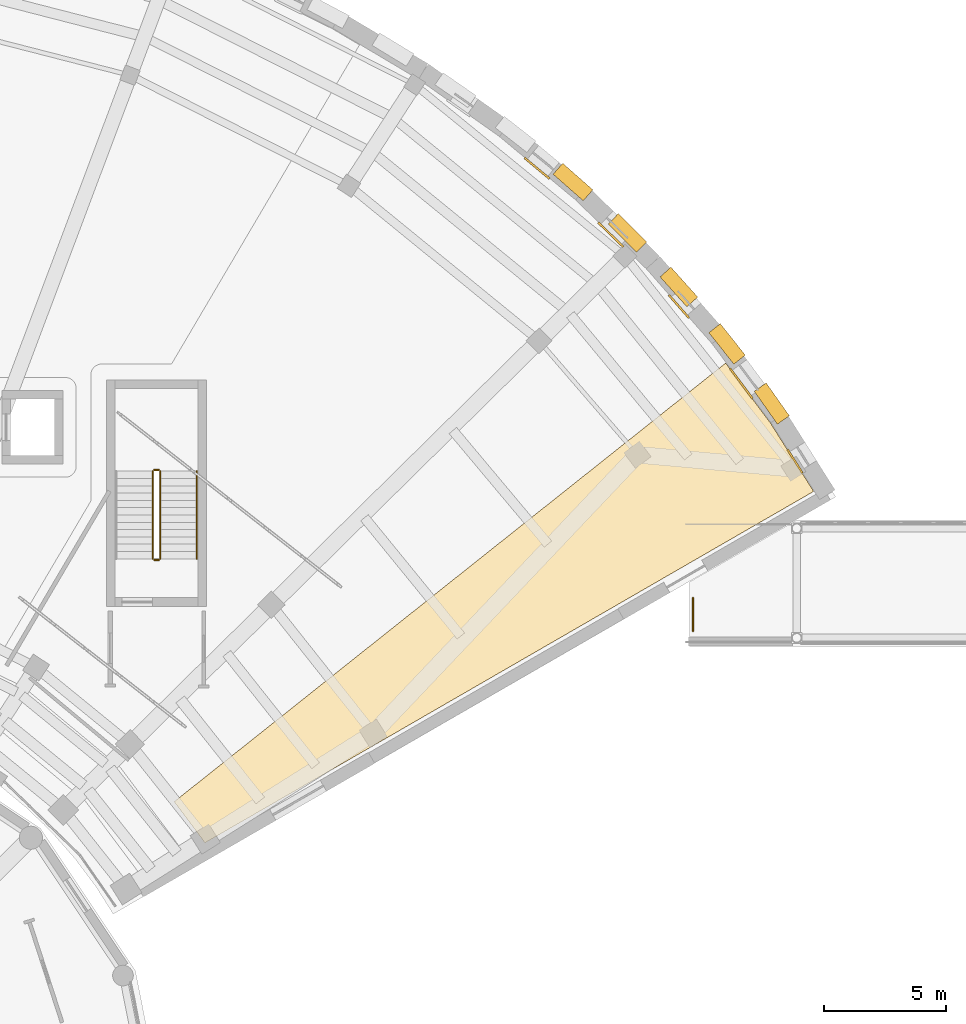
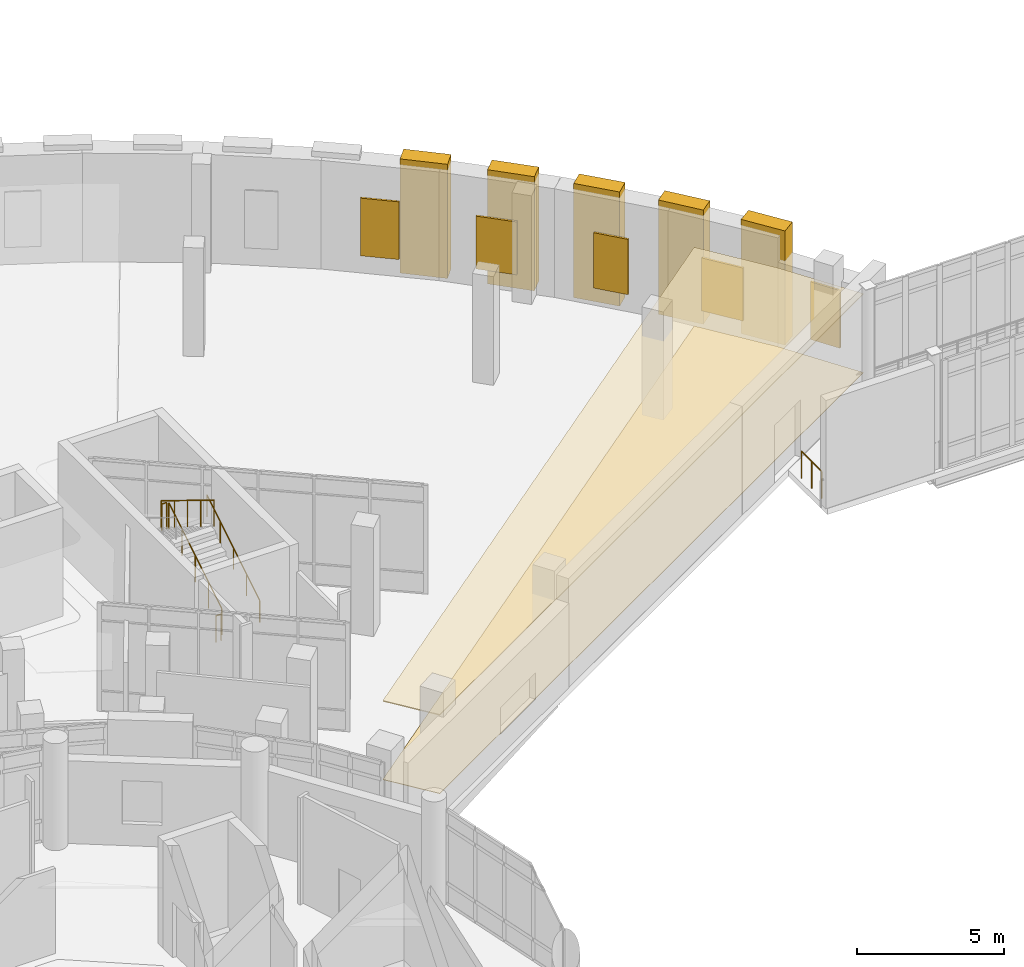
# One storey, part 71 of 75: 12 coverings, 6 railings.
"""IFC4 building model written with IfcOpenShell, lengths in metres."""

from ifc_helpers import new_model, si_unit, direction, frame, origin, origin_2d, place, context, subcontext, project, spatial, polyline, rectangle, circle, outline, extrude, material, layer, layer_set, type_object, element, save


model = new_model("IFC4")

# Units and contexts
model_context = context("Model", 3, precision=1e-05, world=origin(), true_north=direction((0.0, 1.0)))
body_context = subcontext(model_context, "Body", "Model", "MODEL_VIEW")
ifc_project = project(units=[si_unit("LENGTHUNIT", "METRE"), si_unit("AREAUNIT", "SQUARE_METRE"), si_unit("VOLUMEUNIT", "CUBIC_METRE"), si_unit("PLANEANGLEUNIT", "RADIAN"), si_unit("MASSUNIT", "GRAM", prefix="KILO")], contexts=[model_context])

# Site, building, storey
site_placement = place(None, origin())
site = spatial("IfcSite", under=ifc_project, at=site_placement, CompositionType="ELEMENT")
building_placement = place(site_placement, origin())
building = spatial("IfcBuilding", under=site, at=building_placement, Name="Soyqirgoq Riverine Aquarium", CompositionType="ELEMENT")
storey_placement = place(building_placement, frame((0.0, 0.0, 10.199951171875)))
storey = spatial("IfcBuildingStorey", under=building, at=storey_placement, Name="L03", CompositionType="ELEMENT", Elevation=10.199951171875)

# Coverings
ifc_material_1 = material(Name="Seamless slip-resistant marine epoxy flooring", Category="concrete")
ifc_layer_1 = layer(ifc_material_1, 0.02001953125)
ifc_layer_set_1 = layer_set([ifc_layer_1], Name="Seamless slip-resistant marine epoxy flooring")
covering_type_1 = type_object("IfcCoveringType", Name="EpoxyWetFloorFinish_20", PredefinedType="FLOORING", material=ifc_layer_set_1)
covering_1_placement = place(storey_placement, origin())
element("IfcCovering", 1, at=covering_1_placement, inside=storey, type_object=covering_type_1, Name="Research Specimen Archive Floor Finish", PredefinedType="FLOORING", context=body_context, shape_type="SweptSolid", body=[
    extrude(outline(polyline([(98.72998046875, 86.367919921875), (100.4970703125, 83.568115234375), (75.489990234375, 69.1298828125), (74.22705078125, 70.821044921875), (96.883056640625, 88.842041015625), (98.72998046875, 86.367919921875)])), origin(), (0.0, 0.0, 1.0), 0.02001953125),
])
ifc_material_2 = material(Name="Anodised aluminium marine moisture-resistant ceiling", Category="aluminium")
ifc_layer_2 = layer(ifc_material_2, 0.0400390625)
ifc_layer_set_2 = layer_set([ifc_layer_2], Name="Anodised aluminium marine moisture-resistant ceiling")
covering_type_2 = type_object("IfcCoveringType", Name="MoistureCeiling_40", PredefinedType="CEILING", material=ifc_layer_set_2)
covering_2_placement = place(storey_placement, frame((0.0, 0.0, 3.260009765625)))
element("IfcCovering", 2, at=covering_2_placement, inside=storey, type_object=covering_type_2, Name="Research Specimen Archive Suspended Ceiling", PredefinedType="CEILING", context=body_context, shape_type="SweptSolid", body=[
    extrude(outline(polyline([(98.72998046875, 86.367919921875), (100.4970703125, 83.568115234375), (75.489990234375, 69.1298828125), (74.22705078125, 70.821044921875), (96.883056640625, 88.842041015625), (98.72998046875, 86.367919921875)])), origin(), (0.0, 0.0, 1.0), 0.0400390625),
])
ifc_material_3 = material(Name="Anodised extruded aluminium sunshade", Category="aluminium")
covering_type_3 = type_object("IfcCoveringType", Name="SolarShadingLouvre_450", PredefinedType="USERDEFINED", material=ifc_material_3)
covering_3_placement = place(storey_placement, frame((89.135498046875, 96.841064453125, 0.75), z_axis=(0.0, 0.0, 1.0), x_axis=(0.768841832073, -0.639439001981, 0.0)))
element("IfcCovering", 3, at=covering_3_placement, inside=storey, type_object=covering_type_3, Name="V5 L03 Travertine Niche Solar Shade 0091", ObjectType="SOLAR_SHADING", PredefinedType="USERDEFINED", context=body_context, shape_type="SweptSolid", body=[
    extrude(rectangle(XDim=1.340087890625, YDim=0.080078125, at=origin_2d()), origin(), (0.0, 0.0, 1.0), 2.39990234375),
])
covering_4_placement = place(storey_placement, frame((92.1591796875, 94.118408203125, 0.75), z_axis=(0.0, 0.0, 1.0), x_axis=(0.716301943425, -0.697790459842, 0.0)))
element("IfcCovering", 4, at=covering_4_placement, inside=storey, type_object=covering_type_3, Name="V5 L03 Travertine Niche Solar Shade 0092", ObjectType="SOLAR_SHADING", PredefinedType="USERDEFINED", context=body_context, shape_type="SweptSolid", body=[
    extrude(rectangle(XDim=1.43994140625, YDim=0.080078125, at=origin_2d()), origin(), (0.0, 0.0, 1.0), 2.199951171875),
])
covering_5_placement = place(storey_placement, frame((94.960205078125, 91.1669921875, 0.75), z_axis=(0.0, 0.0, 1.0), x_axis=(0.6593458151, -0.751839807479, 0.0)))
element("IfcCovering", 5, at=covering_5_placement, inside=storey, type_object=covering_type_3, Name="V5 L03 Travertine Niche Solar Shade 0093", ObjectType="SOLAR_SHADING", PredefinedType="USERDEFINED", context=body_context, shape_type="SweptSolid", body=[
    extrude(rectangle(XDim=1.239990234375, YDim=0.080078125, at=origin_2d()), origin(), (0.0, 0.0, 1.0), 2.300048828125),
])
covering_6_placement = place(storey_placement, frame((97.5205078125, 88.0048828125, 0.75), z_axis=(0.0, 0.0, 1.0), x_axis=(0.598324600571, -0.801253812691, 0.0)))
element("IfcCovering", 6, at=covering_6_placement, inside=storey, type_object=covering_type_3, Name="V5 L03 Travertine Niche Solar Shade 0094", ObjectType="SOLAR_SHADING", PredefinedType="USERDEFINED", context=body_context, shape_type="SweptSolid", body=[
    extrude(rectangle(XDim=1.5400390625, YDim=0.080078125, at=origin_2d()), origin(), (0.0, 0.0, 1.0), 2.199951171875),
])
covering_7_placement = place(storey_placement, frame((99.72900390625, 84.803955078125, 0.75), z_axis=(0.0, 0.0, 1.0), x_axis=(0.533614515916, -0.845727821704, 0.0)))
element("IfcCovering", 7, at=covering_7_placement, inside=storey, type_object=covering_type_3, Name="V5 L03 Travertine Niche Solar Shade 0095", ObjectType="SOLAR_SHADING", PredefinedType="USERDEFINED", context=body_context, shape_type="SweptSolid", body=[
    extrude(rectangle(XDim=1.139892578125, YDim=0.080078125, at=origin_2d()), origin(), (0.0, 0.0, 1.0), 2.39990234375),
])

# Railings
ifc_material_4 = material(Name="Brushed stainless steel 316L tubular handrail", Category="steel")
railing_type_1 = type_object("IfcRailingType", Name="StairPitchHandrail_920", PredefinedType="HANDRAIL", material=ifc_material_4)
railing_1_placement = place(storey_placement, frame((75.14990234375, 80.800048828125, 0.1845703125)))
element("IfcRailing", 8, at=railing_1_placement, inside=storey, type_object=railing_type_1, Name="L03 ST-6 stair handrail 1", PredefinedType="HANDRAIL", context=body_context, shape_type="SweptSolid", body=[
    extrude(circle(Radius=0.02392578125, at=origin_2d()), frame((0.0, 0.0, 0.89990234375), z_axis=(0.0, 0.851628569182, 0.524145762315), x_axis=(-1.0, 0.0, 0.0)), (0.0, 0.0, 1.0), 4.22705078125),
    extrude(circle(Radius=0.02099609375, at=origin_2d()), origin(), (0.0, 0.0, 1.0), 0.875732421875),
    extrude(circle(Radius=0.02099609375, at=origin_2d()), frame((0.0, 0.89990234375, 0.553955078125)), (0.0, 0.0, 1.0), 0.875732421875),
    extrude(circle(Radius=0.02099609375, at=origin_2d()), frame((0.0, 1.7998046875, 1.10791015625)), (0.0, 0.0, 1.0), 0.875732421875),
    extrude(circle(Radius=0.02099609375, at=origin_2d()), frame((0.0, 2.699951171875, 1.66162109375)), (0.0, 0.0, 1.0), 0.875732421875),
    extrude(circle(Radius=0.02099609375, at=origin_2d()), frame((0.0, 3.599853515625, 2.215576171875)), (0.0, 0.0, 1.0), 0.875732421875),
])
ifc_material_5 = material(Name="Painted steel infill stair-well guardrail", Category="steel")
railing_type_2 = type_object("IfcRailingType", Name="StairWellGuard_1120", PredefinedType="GUARDRAIL", material=ifc_material_5)
railing_2_placement = place(storey_placement, frame((73.64990234375, 80.800048828125, 0.1845703125)))
element("IfcRailing", 9, at=railing_2_placement, inside=storey, type_object=railing_type_2, Name="L03 ST-6 stair guard 1", PredefinedType="GUARDRAIL", context=body_context, shape_type="SweptSolid", body=[
    extrude(circle(Radius=0.02392578125, at=origin_2d()), frame((0.0, 0.0, 1.09619140625), z_axis=(0.0, 0.851628569182, 0.524145762315), x_axis=(-1.0, 0.0, 0.0)), (0.0, 0.0, 1.0), 4.22705078125),
    extrude(circle(Radius=0.02099609375, at=origin_2d()), origin(), (0.0, 0.0, 1.0), 1.072021484375),
    extrude(circle(Radius=0.02099609375, at=origin_2d()), frame((0.0, 0.89990234375, 0.553955078125)), (0.0, 0.0, 1.0), 1.072021484375),
    extrude(circle(Radius=0.02099609375, at=origin_2d()), frame((0.0, 1.7998046875, 1.10791015625)), (0.0, 0.0, 1.0), 1.072021484375),
    extrude(circle(Radius=0.02099609375, at=origin_2d()), frame((0.0, 2.699951171875, 1.66162109375)), (0.0, 0.0, 1.0), 1.072021484375),
    extrude(circle(Radius=0.02099609375, at=origin_2d()), frame((0.0, 3.599853515625, 2.215576171875)), (0.0, 0.0, 1.0), 1.072021484375),
])
railing_3_placement = place(storey_placement, frame((73.60009765625, 84.449951171875, 2.400146484375)))
element("IfcRailing", 10, at=railing_3_placement, inside=storey, type_object=railing_type_2, Name="L03 ST-6 stair guard 2", PredefinedType="GUARDRAIL", context=body_context, shape_type="SweptSolid", body=[
    extrude(circle(Radius=0.02392578125, at=origin_2d()), frame((0.0, 0.0, 1.09619140625), z_axis=(-1.0, 0.0, 0.0), x_axis=(0.0, -1.0, 0.0)), (0.0, 0.0, 1.0), 0.2001953125),
    extrude(circle(Radius=0.02099609375, at=origin_2d()), origin(), (0.0, 0.0, 1.0), 1.072021484375),
    extrude(circle(Radius=0.02099609375, at=origin_2d()), frame((-0.2001953125, 0.0, 0.0)), (0.0, 0.0, 1.0), 1.072021484375),
])
railing_4_placement = place(storey_placement, frame((73.35009765625, 84.39990234375, 2.584716796875)))
element("IfcRailing", 11, at=railing_4_placement, inside=storey, type_object=railing_type_2, Name="L03 ST-6 stair guard 3", PredefinedType="GUARDRAIL", context=body_context, shape_type="SweptSolid", body=[
    extrude(circle(Radius=0.02392578125, at=origin_2d()), frame((0.0, 0.0, 1.09619140625), z_axis=(0.0, -0.851654350407, 0.524103870844), x_axis=(1.0, 0.0, 0.0)), (0.0, 0.0, 1.0), 4.226806640625),
    extrude(circle(Radius=0.02099609375, at=origin_2d()), origin(), (0.0, 0.0, 1.0), 1.072021484375),
    extrude(circle(Radius=0.02099609375, at=origin_2d()), frame((0.0, -0.89990234375, 0.5537109375)), (0.0, 0.0, 1.0), 1.072021484375),
    extrude(circle(Radius=0.02099609375, at=origin_2d()), frame((0.0, -1.7998046875, 1.107666015625)), (0.0, 0.0, 1.0), 1.072021484375),
    extrude(circle(Radius=0.02099609375, at=origin_2d()), frame((0.0, -2.699951171875, 1.66162109375)), (0.0, 0.0, 1.0), 1.072021484375),
    extrude(circle(Radius=0.02099609375, at=origin_2d()), frame((0.0, -3.599853515625, 2.21533203125)), (0.0, 0.0, 1.0), 1.072021484375),
])
railing_5_placement = place(storey_placement, frame((73.60009765625, 80.75, 0.0)))
element("IfcRailing", 12, at=railing_5_placement, inside=storey, type_object=railing_type_2, Name="L03 ST-6 stair guard 4", PredefinedType="GUARDRAIL", context=body_context, shape_type="SweptSolid", body=[
    extrude(circle(Radius=0.02392578125, at=origin_2d()), frame((0.0, 0.0, 1.09619140625), z_axis=(-1.0, 0.0, 0.0), x_axis=(0.0, -1.0, 0.0)), (0.0, 0.0, 1.0), 0.2001953125),
    extrude(circle(Radius=0.02099609375, at=origin_2d()), origin(), (0.0, 0.0, 1.0), 1.072021484375),
    extrude(circle(Radius=0.02099609375, at=origin_2d()), frame((-0.2001953125, 0.0, 0.0)), (0.0, 0.0, 1.0), 1.072021484375),
])
ifc_material_6 = material(Name="Laminated safety glass and stainless steel balustrade", Category="steel")
railing_type_3 = type_object("IfcRailingType", Name="TerraceGuard_1150", PredefinedType="BALUSTRADE", material=ifc_material_6)
railing_6_placement = place(storey_placement, frame((95.5400390625, 77.820068359375, 0.0)))
element("IfcRailing", 13, at=railing_6_placement, inside=storey, type_object=railing_type_3, Name="BR-2 L03 Floor Edge Balustrade 096", PredefinedType="BALUSTRADE", context=body_context, shape_type="SweptSolid", body=[
    extrude(circle(Radius=0.02392578125, at=origin_2d()), frame((0.0, 0.0, 1.1259765625), z_axis=(0.0, 1.0, 0.0), x_axis=(-1.0, 0.0, 0.0)), (0.0, 0.0, 1.0), 1.3828125),
    extrude(circle(Radius=0.02099609375, at=origin_2d()), origin(), (0.0, 0.0, 1.0), 1.101806640625),
    extrude(circle(Radius=0.02099609375, at=origin_2d()), frame((0.0, 0.69140625, 0.0)), (0.0, 0.0, 1.0), 1.101806640625),
    extrude(circle(Radius=0.02099609375, at=origin_2d()), frame((0.0, 1.3828125, 0.0)), (0.0, 0.0, 1.0), 1.101806640625),
])

# Coverings
ifc_material_7 = material(Name="Honed Uzbek travertine limestone vertical niche pier", Category="masonry")
covering_type_4 = type_object("IfcCoveringType", Name="TravertineNichePier_550", PredefinedType="CLADDING", material=ifc_material_7)
for number, where, z_axis, x_axis, name in (
    (14, (98.777587890625, 87.17626953125, 0.0), (0.0, 0.0, 1.0), (0.817144898335, 0.57643231617, 0.0), "V5 L03 Travertine Vertical Niche Pier 143"),
    (15, (96.93896484375, 89.627197265625, 0.0), (0.0, 0.0, 1.0), (0.782064612424, 0.623197353969, 0.0), "V5 L03 Travertine Vertical Niche Pier 144"),
    (16, (94.9599609375, 91.96630859375, 0.0), (0.0, 0.0, 1.0), (0.744194976126, 0.66796245217, 0.0), "V5 L03 Travertine Vertical Niche Pier 145"),
    (17, (92.84765625, 94.185546875, 0.0), (0.0, 0.0, 1.0), (0.703890763003, 0.710308238555, 0.0), "V5 L03 Travertine Vertical Niche Pier 146"),
    (18, (90.609130859375, 96.277587890625, 0.0), (0.0, 0.0, 1.0), (0.661049986881, 0.750341865315, 0.0), "V5 L03 Travertine Vertical Niche Pier 147"),
):
    element("IfcCovering", number, at=place(storey_placement, frame(where, z_axis=z_axis, x_axis=x_axis)), inside=storey, type_object=covering_type_4, Name=name, PredefinedType="CLADDING", context=body_context, shape_type="SweptSolid", body=[
        extrude(rectangle(XDim=0.60009765625, YDim=1.64990234375, at=origin_2d()), origin(), (0.0, 0.0, 1.0), 4.75),
    ])

save(model, "model.ifc")
